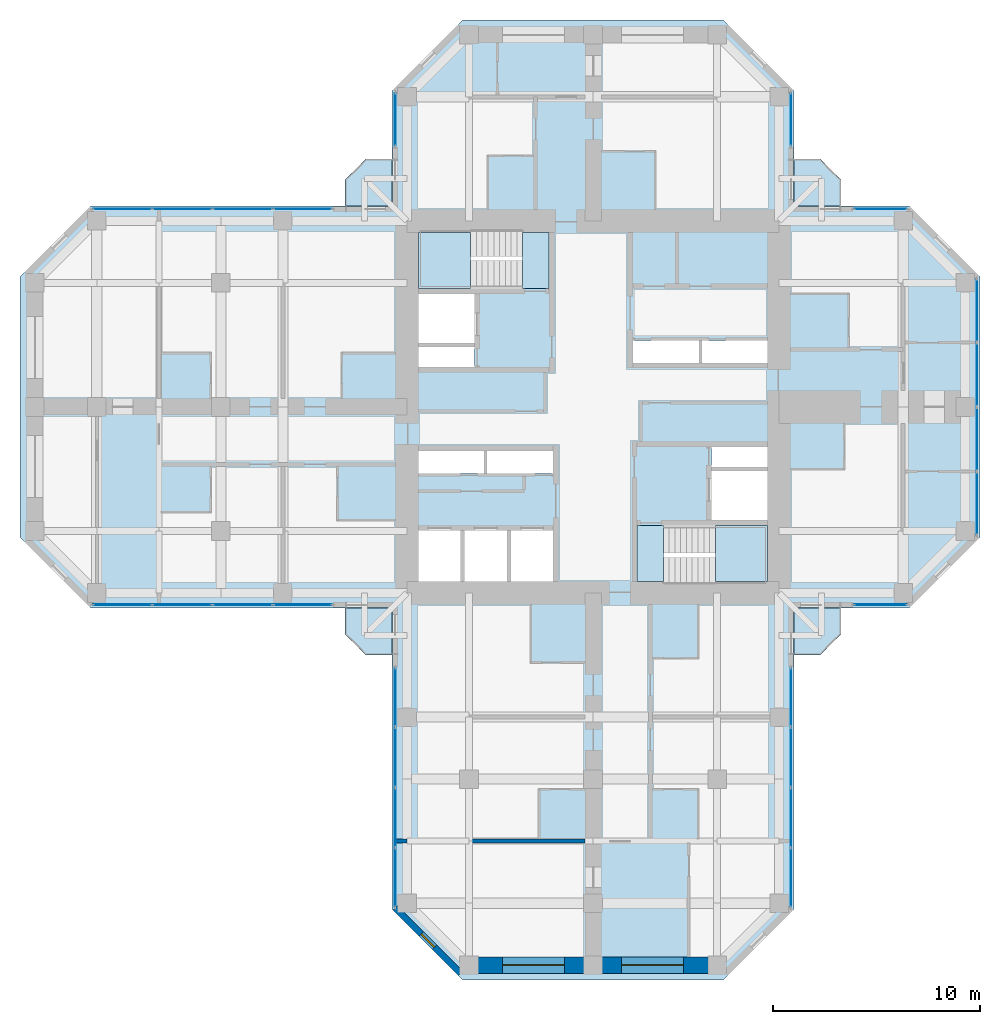
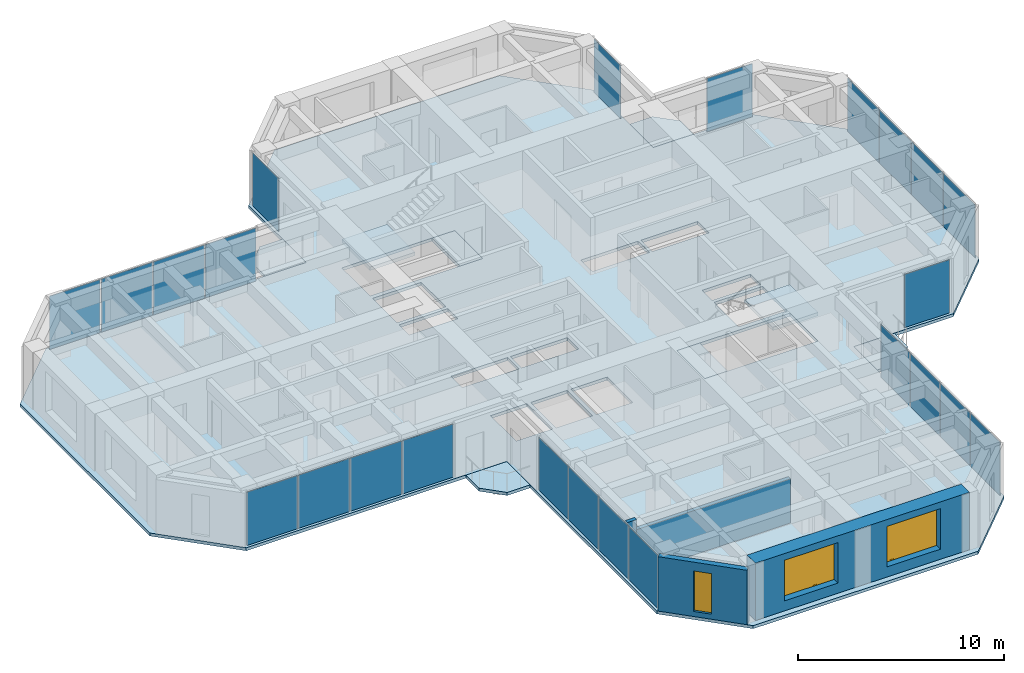
# One storey, part 7 of 14: 24 plates, 9 slabs, 4 walls, 3 windows, 3 openings, 11 elements without a shape of their own.
"""IFC4 building model written with IfcOpenShell, lengths in metres."""

from ifc_helpers import new_model, si_unit, direction, frame, frame_2d, origin, origin_2d, place, context, subcontext, project, spatial, polyline, rectangle, hollow_rectangle, outline, extrude, material, layer, layer_set, constituent, constituent_set, type_object, element, fill, aggregate, save


model = new_model("IFC4")

# Units and contexts
model_context = context("Model", 3, precision=1e-05, world=origin(), true_north=direction((0.0, 1.0)))
body_context = subcontext(model_context, "Body", "Model", "MODEL_VIEW")
ifc_project = project(units=[si_unit("LENGTHUNIT", "METRE"), si_unit("AREAUNIT", "SQUARE_METRE"), si_unit("VOLUMEUNIT", "CUBIC_METRE"), si_unit("PLANEANGLEUNIT", "RADIAN"), si_unit("MASSUNIT", "GRAM", prefix="KILO")], contexts=[model_context])

# Site, building, storey
site_placement = place(None, origin())
site = spatial("IfcSite", under=ifc_project, at=site_placement, CompositionType="ELEMENT")
building_placement = place(site_placement, origin())
building = spatial("IfcBuilding", under=site, at=building_placement, Name="Torre Cruceta", CompositionType="ELEMENT")
storey_placement = place(building_placement, frame((0.0, 0.0, 176.300048828125)))
storey = spatial("IfcBuildingStorey", under=building, at=storey_placement, Name="L43", CompositionType="ELEMENT", Elevation=176.300048828125)

# Slabs
ifc_material_1 = material(Name="Concrete G35 (fck 35 MPa)", Category="concrete")
ifc_layer_1 = layer(ifc_material_1, 0.179931640625)
ifc_layer_set_1 = layer_set([ifc_layer_1], Name="Concrete G35 (fck 35 MPa)")
slab_type_1 = type_object("IfcSlabType", Name="BALCONY SLAB 180", PredefinedType="USERDEFINED", material=ifc_layer_set_1)
slab_1_placement = place(storey_placement, frame((0.0, 0.0, -0.179931640625)))
element("IfcSlab", 1, at=slab_1_placement, inside=storey, type_object=slab_type_1, Name="Balcony slab L43 N", ObjectType="BALCONY", PredefinedType="USERDEFINED", context=body_context, shape_type="SweptSolid", body=[
    extrude(outline(polyline([(-12.0, 11.0), (-11.0, 12.0), (-9.719970703125, 12.0), (-9.719970703125, 9.719970703125), (-12.0, 9.719970703125), (-12.0, 11.0)])), origin(), (0.0, 0.0, 1.0), 0.179931640625),
])
slab_2_placement = place(storey_placement, frame((0.0, 0.0, -0.179931640625)))
element("IfcSlab", 2, at=slab_2_placement, inside=storey, type_object=slab_type_1, Name="Balcony slab L43 E", ObjectType="BALCONY", PredefinedType="USERDEFINED", context=body_context, shape_type="SweptSolid", body=[
    extrude(outline(polyline([(11.0, 12.0), (12.0, 11.0), (12.0, 9.719970703125), (9.719970703125, 9.719970703125), (9.719970703125, 12.0), (11.0, 12.0)])), origin(), (0.0, 0.0, 1.0), 0.179931640625),
])
slab_3_placement = place(storey_placement, frame((0.0, 0.0, -0.179931640625)))
element("IfcSlab", 3, at=slab_3_placement, inside=storey, type_object=slab_type_1, Name="Balcony slab L43 S", ObjectType="BALCONY", PredefinedType="USERDEFINED", context=body_context, shape_type="SweptSolid", body=[
    extrude(outline(polyline([(12.0, -11.0), (11.0, -12.0), (9.719970703125, -12.0), (9.719970703125, -9.719970703125), (12.0, -9.719970703125), (12.0, -11.0)])), origin(), (0.0, 0.0, 1.0), 0.179931640625),
])
slab_4_placement = place(storey_placement, frame((0.0, 0.0, -0.179931640625)))
element("IfcSlab", 4, at=slab_4_placement, inside=storey, type_object=slab_type_1, Name="Balcony slab L43 W", ObjectType="BALCONY", PredefinedType="USERDEFINED", context=body_context, shape_type="SweptSolid", body=[
    extrude(outline(polyline([(-11.0, -12.0), (-12.0, -11.0), (-12.0, -9.719970703125), (-9.719970703125, -9.719970703125), (-9.719970703125, -12.0), (-11.0, -12.0)])), origin(), (0.0, 0.0, 1.0), 0.179931640625),
])

# Curtain wall, plate
ifc_material_2 = material(Name="Aluminium unitised curtain wall", Category="aluminium")
curtain_wall_type = type_object("IfcCurtainWallType", Name="CURTAIN WALL CW-C CO-LIVING", PredefinedType="USERDEFINED", material=ifc_material_2)
curtain_wall_1_placement = place(storey_placement, origin())
curtain_wall_1 = element("IfcCurtainWall", 5, at=curtain_wall_1_placement, inside=storey, type_object=curtain_wall_type, Name="CW-C L43 E tip 02", ObjectType="UNITISED", PredefinedType="USERDEFINED")
ifc_material_3 = material(Name="Laminated insulating glass unit, diagonal frit 50 %", Category="glass")
ifc_material_4 = material(Name="Laminated insulating glass unit, diagonal frit 50 %", Category="glass")
ifc_layer_2 = layer(ifc_material_4, 0.030029296875)
ifc_layer_set_2 = layer_set([ifc_layer_2], Name="Laminated insulating glass unit, diagonal frit 50 %")
plate_type_1 = type_object("IfcPlateType", Name="CW-C OPERABLE VENT PANEL 30", PredefinedType="CURTAIN_PANEL", material=ifc_layer_set_2)
plate_1_placement = place(storey_placement, frame((18.570068359375, -1.55908203125, 0.010009765625), z_axis=(0.0, 0.0, 1.0), x_axis=(0.0, 1.0, 0.0)))
plate_1 = element("IfcPlate", 6, at=plate_1_placement, type_object=plate_type_1, material=ifc_material_3, Name="CW-C vent 2", PredefinedType="CURTAIN_PANEL", context=body_context, shape_type="SweptSolid", body=[
    extrude(rectangle(XDim=3.05810546875, YDim=0.030029296875, at=origin_2d()), origin(), (0.0, 0.0, 1.0), 3.14990234375),
])

curtain_wall_2_placement = place(storey_placement, origin())
curtain_wall_2 = element("IfcCurtainWall", 7, at=curtain_wall_2_placement, inside=storey, type_object=curtain_wall_type, Name="CW-C L43 W side 10", ObjectType="UNITISED", PredefinedType="USERDEFINED")
plate_2_placement = place(storey_placement, frame((-16.94482421875, 9.570068359375, 0.010009765625), z_axis=(0.0, 0.0, 1.0), x_axis=(-1.0, 0.0, 0.0)))
plate_2 = element("IfcPlate", 8, at=plate_2_placement, type_object=plate_type_1, material=ifc_material_3, Name="CW-C vent 2", PredefinedType="CURTAIN_PANEL", context=body_context, shape_type="SweptSolid", body=[
    extrude(rectangle(XDim=2.8564453125, YDim=0.030029296875, at=origin_2d()), origin(), (0.0, 0.0, 1.0), 3.14990234375),
])

curtain_wall_3_placement = place(storey_placement, origin())
curtain_wall_3 = element("IfcCurtainWall", 9, at=curtain_wall_3_placement, inside=storey, type_object=curtain_wall_type, Name="CW-C L43 W side 14", ObjectType="UNITISED", PredefinedType="USERDEFINED")
plate_3_placement = place(storey_placement, frame((-19.861328125, -9.570068359375, 0.010009765625), z_axis=(0.0, 0.0, 1.0), x_axis=(1.0, 0.0, 0.0)))
plate_3 = element("IfcPlate", 10, at=plate_3_placement, type_object=plate_type_1, material=ifc_material_3, Name="CW-C vent 2", PredefinedType="CURTAIN_PANEL", context=body_context, shape_type="SweptSolid", body=[
    extrude(rectangle(XDim=2.8564453125, YDim=0.030029296875, at=origin_2d()), origin(), (0.0, 0.0, 1.0), 3.14990234375),
])

curtain_wall_4_placement = place(storey_placement, origin())
curtain_wall_4 = element("IfcCurtainWall", 11, at=curtain_wall_4_placement, inside=storey, type_object=curtain_wall_type, Name="CW-C L43 S side 15", ObjectType="UNITISED", PredefinedType="USERDEFINED")
plate_4_placement = place(storey_placement, frame((-9.570068359375, -16.94482421875, 0.010009765625), z_axis=(0.0, 0.0, 1.0), x_axis=(0.0, -1.0, 0.0)))
plate_4 = element("IfcPlate", 12, at=plate_4_placement, type_object=plate_type_1, material=ifc_material_3, Name="CW-C vent 2", PredefinedType="CURTAIN_PANEL", context=body_context, shape_type="SweptSolid", body=[
    extrude(rectangle(XDim=2.8564453125, YDim=0.030029296875, at=origin_2d()), origin(), (0.0, 0.0, 1.0), 3.14990234375),
])

curtain_wall_5_placement = place(storey_placement, origin())
curtain_wall_5 = element("IfcCurtainWall", 13, at=curtain_wall_5_placement, inside=storey, type_object=curtain_wall_type, Name="CW-C L43 S side 19", ObjectType="UNITISED", PredefinedType="USERDEFINED")
plate_5_placement = place(storey_placement, frame((9.570068359375, -19.861328125, 0.010009765625), z_axis=(0.0, 0.0, 1.0), x_axis=(0.0, 1.0, 0.0)))
plate_5 = element("IfcPlate", 14, at=plate_5_placement, type_object=plate_type_1, material=ifc_material_3, Name="CW-C vent 2", PredefinedType="CURTAIN_PANEL", context=body_context, shape_type="SweptSolid", body=[
    extrude(rectangle(XDim=2.8564453125, YDim=0.030029296875, at=origin_2d()), origin(), (0.0, 0.0, 1.0), 3.14990234375),
])

curtain_wall_6_placement = place(storey_placement, origin())
curtain_wall_6 = element("IfcCurtainWall", 15, at=curtain_wall_6_placement, inside=storey, type_object=curtain_wall_type, Name="CW-C L43 E side 00", ObjectType="UNITISED", PredefinedType="USERDEFINED")
ifc_material_5 = material(Name="Laminated insulating glass unit, low-iron clear", Category="glass")
ifc_material_6 = material(Name="Laminated insulating glass unit, diagonal frit 50 %", Category="glass")
ifc_layer_3 = layer(ifc_material_6, 0.030029296875)
ifc_layer_set_3 = layer_set([ifc_layer_3], Name="Laminated insulating glass unit, diagonal frit 50 %")
plate_type_2 = type_object("IfcPlateType", Name="CW-C PANEL 30", PredefinedType="CURTAIN_PANEL", material=ifc_layer_set_3)
plate_6_placement = place(storey_placement, frame((13.903076171875, -9.570068359375, 0.010009765625), z_axis=(0.0, 0.0, 1.0), x_axis=(1.0, 0.0, 0.0)))
plate_6 = element("IfcPlate", 16, at=plate_6_placement, type_object=plate_type_2, material=ifc_material_5, Name="CW-C panel 1", PredefinedType="CURTAIN_PANEL", context=body_context, shape_type="SweptSolid", body=[
    extrude(rectangle(XDim=2.546142578125, YDim=0.030029296875, at=origin_2d()), origin(), (0.0, 0.0, 1.0), 3.14990234375),
])
aggregate(curtain_wall_6, [plate_6])

# Plate
plate_7_placement = place(storey_placement, frame((18.570068359375, -4.662109375, 0.010009765625), z_axis=(0.0, 0.0, 1.0), x_axis=(0.0, 1.0, 0.0)))
plate_7 = element("IfcPlate", 17, at=plate_7_placement, type_object=plate_type_2, material=ifc_material_5, Name="CW-C panel 1", PredefinedType="CURTAIN_PANEL", context=body_context, shape_type="SweptSolid", body=[
    extrude(rectangle(XDim=3.028076171875, YDim=0.030029296875, at=origin_2d()), origin(), (0.0, 0.0, 1.0), 3.14990234375),
])

plate_8_placement = place(storey_placement, frame((18.570068359375, 1.55908203125, 0.010009765625), z_axis=(0.0, 0.0, 1.0), x_axis=(0.0, 1.0, 0.0)))
plate_8 = element("IfcPlate", 18, at=plate_8_placement, type_object=plate_type_2, material=ifc_material_3, Name="CW-C panel 3", PredefinedType="CURTAIN_PANEL", context=body_context, shape_type="SweptSolid", body=[
    extrude(rectangle(XDim=3.05810546875, YDim=0.030029296875, at=origin_2d()), origin(), (0.0, 0.0, 1.0), 3.14990234375),
])

plate_9_placement = place(storey_placement, frame((18.570068359375, 4.662109375, 0.010009765625), z_axis=(0.0, 0.0, 1.0), x_axis=(0.0, 1.0, 0.0)))
plate_9 = element("IfcPlate", 19, at=plate_9_placement, type_object=plate_type_2, material=ifc_material_3, Name="CW-C panel 4", PredefinedType="CURTAIN_PANEL", context=body_context, shape_type="SweptSolid", body=[
    extrude(rectangle(XDim=3.028076171875, YDim=0.030029296875, at=origin_2d()), origin(), (0.0, 0.0, 1.0), 3.14990234375),
])

aggregate(curtain_wall_1, [plate_7, plate_1, plate_8, plate_9])

# Curtain wall, plate
curtain_wall_7_placement = place(storey_placement, origin())
curtain_wall_7 = element("IfcCurtainWall", 20, at=curtain_wall_7_placement, inside=storey, type_object=curtain_wall_type, Name="CW-C L43 E side 04", ObjectType="UNITISED", PredefinedType="USERDEFINED")
plate_10_placement = place(storey_placement, frame((13.903076171875, 9.570068359375, 0.010009765625), z_axis=(0.0, 0.0, 1.0), x_axis=(-1.0, 0.0, 0.0)))
plate_10 = element("IfcPlate", 21, at=plate_10_placement, type_object=plate_type_2, material=ifc_material_5, Name="CW-C panel 1", PredefinedType="CURTAIN_PANEL", context=body_context, shape_type="SweptSolid", body=[
    extrude(rectangle(XDim=2.546142578125, YDim=0.030029296875, at=origin_2d()), origin(), (0.0, 0.0, 1.0), 3.14990234375),
])
aggregate(curtain_wall_7, [plate_10])

curtain_wall_8_placement = place(storey_placement, origin())
curtain_wall_8 = element("IfcCurtainWall", 22, at=curtain_wall_8_placement, inside=storey, type_object=curtain_wall_type, Name="CW-C L43 N side 05", ObjectType="UNITISED", PredefinedType="USERDEFINED")
plate_11_placement = place(storey_placement, frame((9.570068359375, 13.903076171875, 0.010009765625), z_axis=(0.0, 0.0, 1.0), x_axis=(0.0, 1.0, 0.0)))
plate_11 = element("IfcPlate", 23, at=plate_11_placement, type_object=plate_type_2, material=ifc_material_5, Name="CW-C panel 1", PredefinedType="CURTAIN_PANEL", context=body_context, shape_type="SweptSolid", body=[
    extrude(rectangle(XDim=2.546142578125, YDim=0.030029296875, at=origin_2d()), origin(), (0.0, 0.0, 1.0), 3.14990234375),
])
aggregate(curtain_wall_8, [plate_11])

curtain_wall_9_placement = place(storey_placement, origin())
curtain_wall_9 = element("IfcCurtainWall", 24, at=curtain_wall_9_placement, inside=storey, type_object=curtain_wall_type, Name="CW-C L43 N side 09", ObjectType="UNITISED", PredefinedType="USERDEFINED")
plate_12_placement = place(storey_placement, frame((-9.570068359375, 13.903076171875, 0.010009765625), z_axis=(0.0, 0.0, 1.0), x_axis=(0.0, -1.0, 0.0)))
plate_12 = element("IfcPlate", 25, at=plate_12_placement, type_object=plate_type_2, material=ifc_material_5, Name="CW-C panel 1", PredefinedType="CURTAIN_PANEL", context=body_context, shape_type="SweptSolid", body=[
    extrude(rectangle(XDim=2.546142578125, YDim=0.030029296875, at=origin_2d()), origin(), (0.0, 0.0, 1.0), 3.14990234375),
])
aggregate(curtain_wall_9, [plate_12])

# Plate
plate_13_placement = place(storey_placement, frame((-14.043212890625, 9.570068359375, 0.010009765625), z_axis=(0.0, 0.0, 1.0), x_axis=(-1.0, 0.0, 0.0)))
plate_13 = element("IfcPlate", 26, at=plate_13_placement, type_object=plate_type_2, material=ifc_material_5, Name="CW-C panel 1", PredefinedType="CURTAIN_PANEL", context=body_context, shape_type="SweptSolid", body=[
    extrude(rectangle(XDim=2.826416015625, YDim=0.030029296875, at=origin_2d()), origin(), (0.0, 0.0, 1.0), 3.14990234375),
])

plate_14_placement = place(storey_placement, frame((-19.861328125, 9.570068359375, 0.010009765625), z_axis=(0.0, 0.0, 1.0), x_axis=(-1.0, 0.0, 0.0)))
plate_14 = element("IfcPlate", 27, at=plate_14_placement, type_object=plate_type_2, material=ifc_material_3, Name="CW-C panel 3", PredefinedType="CURTAIN_PANEL", context=body_context, shape_type="SweptSolid", body=[
    extrude(rectangle(XDim=2.8564453125, YDim=0.030029296875, at=origin_2d()), origin(), (0.0, 0.0, 1.0), 3.14990234375),
])

plate_15_placement = place(storey_placement, frame((-22.762939453125, 9.570068359375, 0.010009765625), z_axis=(0.0, 0.0, 1.0), x_axis=(-1.0, 0.0, 0.0)))
plate_15 = element("IfcPlate", 28, at=plate_15_placement, type_object=plate_type_2, material=ifc_material_3, Name="CW-C panel 4", PredefinedType="CURTAIN_PANEL", context=body_context, shape_type="SweptSolid", body=[
    extrude(rectangle(XDim=2.826416015625, YDim=0.030029296875, at=origin_2d()), origin(), (0.0, 0.0, 1.0), 3.14990234375),
])

aggregate(curtain_wall_2, [plate_13, plate_2, plate_14, plate_15])

plate_16_placement = place(storey_placement, frame((-22.762939453125, -9.570068359375, 0.010009765625), z_axis=(0.0, 0.0, 1.0), x_axis=(1.0, 0.0, 0.0)))
plate_16 = element("IfcPlate", 29, at=plate_16_placement, type_object=plate_type_2, material=ifc_material_5, Name="CW-C panel 1", PredefinedType="CURTAIN_PANEL", context=body_context, shape_type="SweptSolid", body=[
    extrude(rectangle(XDim=2.826416015625, YDim=0.030029296875, at=origin_2d()), origin(), (0.0, 0.0, 1.0), 3.14990234375),
])

plate_17_placement = place(storey_placement, frame((-16.94482421875, -9.570068359375, 0.010009765625), z_axis=(0.0, 0.0, 1.0), x_axis=(1.0, 0.0, 0.0)))
plate_17 = element("IfcPlate", 30, at=plate_17_placement, type_object=plate_type_2, material=ifc_material_3, Name="CW-C panel 3", PredefinedType="CURTAIN_PANEL", context=body_context, shape_type="SweptSolid", body=[
    extrude(rectangle(XDim=2.8564453125, YDim=0.030029296875, at=origin_2d()), origin(), (0.0, 0.0, 1.0), 3.14990234375),
])

plate_18_placement = place(storey_placement, frame((-14.043212890625, -9.570068359375, 0.010009765625), z_axis=(0.0, 0.0, 1.0), x_axis=(1.0, 0.0, 0.0)))
plate_18 = element("IfcPlate", 31, at=plate_18_placement, type_object=plate_type_2, material=ifc_material_3, Name="CW-C panel 4", PredefinedType="CURTAIN_PANEL", context=body_context, shape_type="SweptSolid", body=[
    extrude(rectangle(XDim=2.826416015625, YDim=0.030029296875, at=origin_2d()), origin(), (0.0, 0.0, 1.0), 3.14990234375),
])

aggregate(curtain_wall_3, [plate_16, plate_3, plate_17, plate_18])

plate_19_placement = place(storey_placement, frame((-9.570068359375, -14.043212890625, 0.010009765625), z_axis=(0.0, 0.0, 1.0), x_axis=(0.0, -1.0, 0.0)))
plate_19 = element("IfcPlate", 32, at=plate_19_placement, type_object=plate_type_2, material=ifc_material_5, Name="CW-C panel 1", PredefinedType="CURTAIN_PANEL", context=body_context, shape_type="SweptSolid", body=[
    extrude(rectangle(XDim=2.826416015625, YDim=0.030029296875, at=origin_2d()), origin(), (0.0, 0.0, 1.0), 3.14990234375),
])

plate_20_placement = place(storey_placement, frame((-9.570068359375, -19.861328125, 0.010009765625), z_axis=(0.0, 0.0, 1.0), x_axis=(0.0, -1.0, 0.0)))
plate_20 = element("IfcPlate", 33, at=plate_20_placement, type_object=plate_type_2, material=ifc_material_3, Name="CW-C panel 3", PredefinedType="CURTAIN_PANEL", context=body_context, shape_type="SweptSolid", body=[
    extrude(rectangle(XDim=2.8564453125, YDim=0.030029296875, at=origin_2d()), origin(), (0.0, 0.0, 1.0), 3.14990234375),
])

plate_21_placement = place(storey_placement, frame((-9.570068359375, -22.762939453125, 0.010009765625), z_axis=(0.0, 0.0, 1.0), x_axis=(0.0, -1.0, 0.0)))
plate_21 = element("IfcPlate", 34, at=plate_21_placement, type_object=plate_type_2, material=ifc_material_3, Name="CW-C panel 4", PredefinedType="CURTAIN_PANEL", context=body_context, shape_type="SweptSolid", body=[
    extrude(rectangle(XDim=2.826416015625, YDim=0.030029296875, at=origin_2d()), origin(), (0.0, 0.0, 1.0), 3.14990234375),
])

aggregate(curtain_wall_4, [plate_19, plate_4, plate_20, plate_21])

plate_22_placement = place(storey_placement, frame((9.570068359375, -22.762939453125, 0.010009765625), z_axis=(0.0, 0.0, 1.0), x_axis=(0.0, 1.0, 0.0)))
plate_22 = element("IfcPlate", 35, at=plate_22_placement, type_object=plate_type_2, material=ifc_material_5, Name="CW-C panel 1", PredefinedType="CURTAIN_PANEL", context=body_context, shape_type="SweptSolid", body=[
    extrude(rectangle(XDim=2.826416015625, YDim=0.030029296875, at=origin_2d()), origin(), (0.0, 0.0, 1.0), 3.14990234375),
])

plate_23_placement = place(storey_placement, frame((9.570068359375, -16.94482421875, 0.010009765625), z_axis=(0.0, 0.0, 1.0), x_axis=(0.0, 1.0, 0.0)))
plate_23 = element("IfcPlate", 36, at=plate_23_placement, type_object=plate_type_2, material=ifc_material_3, Name="CW-C panel 3", PredefinedType="CURTAIN_PANEL", context=body_context, shape_type="SweptSolid", body=[
    extrude(rectangle(XDim=2.8564453125, YDim=0.030029296875, at=origin_2d()), origin(), (0.0, 0.0, 1.0), 3.14990234375),
])

plate_24_placement = place(storey_placement, frame((9.570068359375, -14.043212890625, 0.010009765625), z_axis=(0.0, 0.0, 1.0), x_axis=(0.0, 1.0, 0.0)))
plate_24 = element("IfcPlate", 37, at=plate_24_placement, type_object=plate_type_2, material=ifc_material_3, Name="CW-C panel 4", PredefinedType="CURTAIN_PANEL", context=body_context, shape_type="SweptSolid", body=[
    extrude(rectangle(XDim=2.826416015625, YDim=0.030029296875, at=origin_2d()), origin(), (0.0, 0.0, 1.0), 3.14990234375),
])

aggregate(curtain_wall_5, [plate_22, plate_5, plate_23, plate_24])

# Slab
ifc_material_7 = material(Name="Concrete G35 (fck 35 MPa)", Category="concrete")
ifc_layer_4 = layer(ifc_material_7, 0.179931640625)
ifc_layer_set_4 = layer_set([ifc_layer_4], Name="Concrete G35 (fck 35 MPa)")
slab_type_2 = type_object("IfcSlabType", Name="FLOOR SLAB 180", PredefinedType="FLOOR", material=ifc_layer_set_4)
slab_5_placement = place(storey_placement, frame((0.0, 0.0, -0.179931640625)))
element("IfcSlab", 38, at=slab_5_placement, inside=storey, type_object=slab_type_2, Name="Floor Slab L43", PredefinedType="FLOOR", context=body_context, shape_type="SweptSolid", body=[
    extrude(outline(polyline([(9.719970703125, -9.719970703125), (9.719970703125, -24.29833984375), (6.29833984375, -27.719970703125), (-6.29833984375, -27.719970703125), (-9.719970703125, -24.29833984375), (-9.719970703125, -9.719970703125), (-24.29833984375, -9.719970703125), (-27.719970703125, -6.29833984375), (-27.719970703125, 6.29833984375), (-24.29833984375, 9.719970703125), (-9.719970703125, 9.719970703125), (-9.719970703125, 15.29833984375), (-6.29833984375, 18.719970703125), (6.29833984375, 18.719970703125), (9.719970703125, 15.29833984375), (9.719970703125, 9.719970703125), (15.29833984375, 9.719970703125), (18.719970703125, 6.29833984375), (18.719970703125, -6.29833984375), (15.29833984375, -9.719970703125), (9.719970703125, -9.719970703125)]), holes=[polyline([(1.925048828125, 2.125), (5.125, 2.125), (5.125, 3.22509765625), (1.925048828125, 3.22509765625), (1.925048828125, 2.125)]), polyline([(5.27490234375, 2.125), (8.449951171875, 2.125), (8.449951171875, 3.22509765625), (5.27490234375, 3.22509765625), (5.27490234375, 2.125)]), polyline([(-8.449951171875, 3.10009765625), (-5.72509765625, 3.10009765625), (-5.72509765625, 5.47509765625), (-8.449951171875, 5.47509765625), (-8.449951171875, 3.10009765625)]), polyline([(-8.449951171875, 1.925048828125), (-5.72509765625, 1.925048828125), (-5.72509765625, 2.89990234375), (-8.449951171875, 2.89990234375), (-8.449951171875, 1.925048828125)]), polyline([(-3.966552734375, -8.449951171875), (-1.925048828125, -8.449951171875), (-1.925048828125, -5.97509765625), (-3.966552734375, -5.97509765625), (-3.966552734375, -8.449951171875)]), polyline([(-6.208251953125, -8.449951171875), (-4.166748046875, -8.449951171875), (-4.166748046875, -5.97509765625), (-6.208251953125, -5.97509765625), (-6.208251953125, -8.449951171875)]), polyline([(-8.449951171875, -8.449951171875), (-6.408447265625, -8.449951171875), (-6.408447265625, -5.97509765625), (-8.449951171875, -5.97509765625), (-8.449951171875, -8.449951171875)]), polyline([(-5.125, -3.22509765625), (-1.925048828125, -3.22509765625), (-1.925048828125, -2.125), (-5.125, -2.125), (-5.125, -3.22509765625)]), polyline([(-8.449951171875, -3.22509765625), (-5.27490234375, -3.22509765625), (-5.27490234375, -2.125), (-8.449951171875, -2.125), (-8.449951171875, -3.22509765625)]), polyline([(5.72509765625, -5.47509765625), (8.449951171875, -5.47509765625), (8.449951171875, -3.10009765625), (5.72509765625, -3.10009765625), (5.72509765625, -5.47509765625)]), polyline([(5.72509765625, -2.89990234375), (8.449951171875, -2.89990234375), (8.449951171875, -1.925048828125), (5.72509765625, -1.925048828125), (5.72509765625, -2.89990234375)]), polyline([(-8.449951171875, 5.72509765625), (-8.449951171875, 8.449951171875), (-3.39990234375, 8.449951171875), (-2.125, 8.449951171875), (-2.125, 5.72509765625), (-3.39990234375, 5.72509765625), (-8.449951171875, 5.72509765625)]), polyline([(2.125, -5.72509765625), (3.39990234375, -5.72509765625), (8.449951171875, -5.72509765625), (8.449951171875, -8.449951171875), (3.39990234375, -8.449951171875), (2.125, -8.449951171875), (2.125, -5.72509765625)])]), origin(), (0.0, 0.0, 1.0), 0.179931640625),
])

# Stair, slab
ifc_material_8 = material(Name="Concrete G30 (fck 30 MPa)", Category="concrete")
stair_type = type_object("IfcStairType", Name="STAIR HALF-TURN 1300", PredefinedType="HALF_TURN_STAIR", material=ifc_material_8)
stair_1_placement = place(storey_placement, origin())
stair_1 = element("IfcStair", 39, at=stair_1_placement, inside=storey, type_object=stair_type, Name="Stair ST1 L43", PredefinedType="HALF_TURN_STAIR")
ifc_material_9 = material(Name="Concrete G30 (fck 30 MPa)", Category="concrete")
ifc_layer_5 = layer(ifc_material_9, 0.199951171875)
ifc_layer_set_5 = layer_set([ifc_layer_5], Name="Concrete G30 (fck 30 MPa)")
slab_type_3 = type_object("IfcSlabType", Name="STAIR LANDING 200", PredefinedType="LANDING", material=ifc_layer_set_5)
slab_6_placement = place(storey_placement, frame((0.0, 0.0, 1.5)))
slab_6 = element("IfcSlab", 40, at=slab_6_placement, type_object=slab_type_3, Name="ST1 landing 1", PredefinedType="LANDING", context=body_context, shape_type="SweptSolid", body=[
    extrude(outline(polyline([(-8.449951171875, 5.72509765625), (-5.919921875, 5.72509765625), (-5.919921875, 8.449951171875), (-8.449951171875, 8.449951171875), (-8.449951171875, 5.72509765625)])), origin(), (0.0, 0.0, 1.0), 0.199951171875),
])
aggregate(stair_1, [slab_6])

stair_2_placement = place(storey_placement, origin())
stair_2 = element("IfcStair", 41, at=stair_2_placement, inside=storey, type_object=stair_type, Name="Stair ST2 L43", PredefinedType="HALF_TURN_STAIR")
slab_7_placement = place(storey_placement, frame((0.0, 0.0, 1.5)))
slab_7 = element("IfcSlab", 42, at=slab_7_placement, type_object=slab_type_3, Name="ST2 landing 1", PredefinedType="LANDING", context=body_context, shape_type="SweptSolid", body=[
    extrude(outline(polyline([(5.919921875, -8.449951171875), (8.449951171875, -8.449951171875), (8.449951171875, -5.72509765625), (5.919921875, -5.72509765625), (5.919921875, -8.449951171875)])), origin(), (0.0, 0.0, 1.0), 0.199951171875),
])
aggregate(stair_2, [slab_7])

# Slabs
slab_8_placement = place(storey_placement, frame((0.0, 0.0, -0.199951171875)))
element("IfcSlab", 43, at=slab_8_placement, inside=storey, type_object=slab_type_3, Name="Stair ST1 floor landing L43", PredefinedType="LANDING", context=body_context, shape_type="SweptSolid", body=[
    extrude(outline(polyline([(-2.125, 8.449951171875), (-2.125, 5.72509765625), (-3.39990234375, 5.72509765625), (-3.39990234375, 8.449951171875), (-2.125, 8.449951171875)])), origin(), (0.0, 0.0, 1.0), 0.199951171875),
])
slab_9_placement = place(storey_placement, frame((0.0, 0.0, -0.199951171875)))
element("IfcSlab", 44, at=slab_9_placement, inside=storey, type_object=slab_type_3, Name="Stair ST2 floor landing L43", PredefinedType="LANDING", context=body_context, shape_type="SweptSolid", body=[
    extrude(outline(polyline([(2.125, -8.449951171875), (2.125, -5.72509765625), (3.39990234375, -5.72509765625), (3.39990234375, -8.449951171875), (2.125, -8.449951171875)])), origin(), (0.0, 0.0, 1.0), 0.199951171875),
])

# Wall, opening, window
ifc_material_10 = material(Name="Concrete G30 (fck 30 MPa)", Category="concrete")
ifc_layer_6 = layer(ifc_material_10, 0.300048828125)
ifc_layer_set_6 = layer_set([ifc_layer_6], Name="Concrete G30 (fck 30 MPa)")
wall_type_1 = type_object("IfcWallType", Name="EXPOSED CONCRETE FACADE WALL 300", PredefinedType="SOLIDWALL", material=ifc_layer_set_6)
wall_1_placement = place(storey_placement, frame((-9.570068359375, -24.236083984375, 0.0), z_axis=(0.0, 0.0, 1.0), x_axis=(0.707134062067, -0.707079499254, 0.0)))
wall_1 = element("IfcWall", 45, at=wall_1_placement, inside=storey, type_object=wall_type_1, Name="EW1 facade wall L43 S chamfer 16", PredefinedType="SOLIDWALL", context=body_context, shape_type="SweptSolid", body=[
    extrude(rectangle(XDim=4.474609375, YDim=0.300048828125, at=frame_2d((2.2373046875, 0.0))), origin(), (0.0, 0.0, 1.0), 3.219970703125),
])
opening_1_placement = place(wall_1_placement, frame((1.787109375, 0.0, 0.300048828125)))
opening_1 = element("IfcOpeningElement", 46, at=opening_1_placement, cuts=wall_1, Name="Opening WN5", PredefinedType="OPENING", context=body_context, shape_type="SweptSolid", body=[
    extrude(rectangle(XDim=0.89990234375, YDim=2.39990234375, at=frame_2d((0.449951171875, 1.199951171875))), frame((0.0, 0.159912109375, 0.0), z_axis=(0.0, -1.0, 0.0), x_axis=(1.0, 0.0, 0.0)), (0.0, 0.0, 1.0), 0.320068359375),
])
ifc_material_11 = material(Name="Aluminium window frame", Category="aluminium")
ifc_constituent_1 = constituent(ifc_material_11, Name="Frame")
ifc_material_12 = material(Name="Laminated insulating glass unit, low-iron clear", Category="glass")
ifc_constituent_2 = constituent(ifc_material_12, Name="Glazing")
ifc_constituent_set_1 = constituent_set(constituents=[ifc_constituent_1, ifc_constituent_2], Name="Aluminium window")
window_type_1 = type_object("IfcWindowType", Name="CHAMFER SLOT WINDOW 900X2400", PartitioningType="SINGLE_PANEL", PredefinedType="WINDOW", material=ifc_constituent_set_1)
window_1_placement = place(opening_1_placement, origin())
window_1 = element("IfcWindow", 47, at=window_1_placement, inside=storey, type_object=window_type_1, Name="WN5 L43 S 1", OverallHeight=2.39990234375, OverallWidth=0.89990234375, PartitioningType="SINGLE_PANEL", PredefinedType="WINDOW", context=body_context, shape_type="SweptSolid", body=[
    extrude(hollow_rectangle(XDim=0.89990234375, YDim=2.39990234375, WallThickness=0.06005859375, at=frame_2d((0.449951171875, 1.199951171875))), frame((0.0, 0.030029296875, 0.0), z_axis=(0.0, -1.0, 0.0), x_axis=(1.0, 0.0, 0.0)), (0.0, 0.0, 1.0), 0.06005859375),
    extrude(rectangle(XDim=0.77880859375, YDim=2.27880859375, at=frame_2d((0.449951171875, 1.199951171875))), frame((0.0, 0.030029296875, 0.0), z_axis=(0.0, -1.0, 0.0), x_axis=(1.0, 0.0, 0.0)), (0.0, 0.0, 1.0), 0.06005859375),
])
fill(opening_1, window_1)

# Wall, openings, windows
ifc_material_13 = material(Name="Concrete G60 (fck 60 MPa)", Category="concrete")
ifc_layer_7 = layer(ifc_material_13, 0.800048828125)
ifc_layer_set_7 = layer_set([ifc_layer_7], Name="Concrete G60 (fck 60 MPa)")
wall_type_2 = type_object("IfcWallType", Name="NOSE WALL 800 G60", PredefinedType="SHEAR", material=ifc_layer_set_7)
wall_2_placement = place(storey_placement, frame((-6.0, -27.0, 0.0), z_axis=(0.0, 0.0, 1.0), x_axis=(1.0, 0.0, 0.0)))
wall_2 = element("IfcWall", 48, at=wall_2_placement, inside=storey, type_object=wall_type_2, Name="NW2 nose wall L43 S", PredefinedType="SHEAR", context=body_context, shape_type="SweptSolid", body=[
    extrude(rectangle(XDim=12.0, YDim=0.800048828125, at=frame_2d((6.0, 0.0))), origin(), (0.0, 0.0, 1.0), 3.39990234375),
])
opening_2_placement = place(wall_2_placement, frame((1.625, 0.0, 0.60009765625)))
opening_2 = element("IfcOpeningElement", 49, at=opening_2_placement, cuts=wall_2, Name="Opening WN6", PredefinedType="OPENING", context=body_context, shape_type="SweptSolid", body=[
    extrude(rectangle(XDim=3.0, YDim=2.39990234375, at=frame_2d((1.5, 1.199951171875))), frame((0.0, 0.409912109375, 0.0), z_axis=(0.0, -1.0, 0.0), x_axis=(1.0, 0.0, 0.0)), (0.0, 0.0, 1.0), 0.820068359375),
])
opening_3_placement = place(wall_2_placement, frame((7.375, 0.0, 0.60009765625)))
opening_3 = element("IfcOpeningElement", 50, at=opening_3_placement, cuts=wall_2, Name="Opening WN6", PredefinedType="OPENING", context=body_context, shape_type="SweptSolid", body=[
    extrude(rectangle(XDim=3.0, YDim=2.39990234375, at=frame_2d((1.5, 1.199951171875))), frame((0.0, 0.409912109375, 0.0), z_axis=(0.0, -1.0, 0.0), x_axis=(1.0, 0.0, 0.0)), (0.0, 0.0, 1.0), 0.820068359375),
])
ifc_material_14 = material(Name="Aluminium window frame", Category="aluminium")
ifc_constituent_3 = constituent(ifc_material_14, Name="Frame")
ifc_material_15 = material(Name="Laminated insulating glass unit, low-iron clear", Category="glass")
ifc_constituent_4 = constituent(ifc_material_15, Name="Glazing")
ifc_constituent_set_2 = constituent_set(constituents=[ifc_constituent_3, ifc_constituent_4], Name="Aluminium window")
window_type_2 = type_object("IfcWindowType", Name="NOSE WALL WINDOW 3000X2400", PartitioningType="SINGLE_PANEL", PredefinedType="WINDOW", material=ifc_constituent_set_2)
window_2_placement = place(opening_2_placement, origin())
window_2 = element("IfcWindow", 51, at=window_2_placement, inside=storey, type_object=window_type_2, Name="WN6 L43 S 1", OverallHeight=2.39990234375, OverallWidth=3.0, PartitioningType="SINGLE_PANEL", PredefinedType="WINDOW", context=body_context, shape_type="SweptSolid", body=[
    extrude(hollow_rectangle(XDim=3.0, YDim=2.39990234375, WallThickness=0.06005859375, at=frame_2d((1.5, 1.199951171875))), frame((0.0, 0.030029296875, 0.0), z_axis=(0.0, -1.0, 0.0), x_axis=(1.0, 0.0, 0.0)), (0.0, 0.0, 1.0), 0.06005859375),
    extrude(rectangle(XDim=2.87890625, YDim=2.27880859375, at=frame_2d((1.5, 1.199951171875))), frame((0.0, 0.030029296875, 0.0), z_axis=(0.0, -1.0, 0.0), x_axis=(1.0, 0.0, 0.0)), (0.0, 0.0, 1.0), 0.06005859375),
])
fill(opening_2, window_2)
window_3_placement = place(opening_3_placement, origin())
window_3 = element("IfcWindow", 52, at=window_3_placement, inside=storey, type_object=window_type_2, Name="WN6 L43 S 2", OverallHeight=2.39990234375, OverallWidth=3.0, PartitioningType="SINGLE_PANEL", PredefinedType="WINDOW", context=body_context, shape_type="SweptSolid", body=[
    extrude(hollow_rectangle(XDim=3.0, YDim=2.39990234375, WallThickness=0.06005859375, at=frame_2d((1.5, 1.199951171875))), frame((0.0, 0.030029296875, 0.0), z_axis=(0.0, -1.0, 0.0), x_axis=(1.0, 0.0, 0.0)), (0.0, 0.0, 1.0), 0.06005859375),
    extrude(rectangle(XDim=2.87890625, YDim=2.27880859375, at=frame_2d((1.5, 1.199951171875))), frame((0.0, 0.030029296875, 0.0), z_axis=(0.0, -1.0, 0.0), x_axis=(1.0, 0.0, 0.0)), (0.0, 0.0, 1.0), 0.06005859375),
])
fill(opening_3, window_3)

# Walls
ifc_material_16 = material(Name="Concrete G25 (fck 25 MPa)", Category="concrete")
ifc_layer_8 = layer(ifc_material_16, 0.199951171875)
ifc_layer_set_8 = layer_set([ifc_layer_8], Name="Concrete G25 (fck 25 MPa)")
wall_type_3 = type_object("IfcWallType", Name="UNIT SEPARATING WALL 200", PredefinedType="SOLIDWALL", material=ifc_layer_set_8)
wall_3_placement = place(storey_placement, frame((-9.530029296875, -21.0, 0.0), z_axis=(0.0, 0.0, 1.0), x_axis=(1.0, 0.0, 0.0)))
element("IfcWall", 53, at=wall_3_placement, inside=storey, type_object=wall_type_3, Name="PT2 L43-S-ENDa", PredefinedType="SOLIDWALL", context=body_context, shape_type="SweptSolid", body=[
    extrude(rectangle(XDim=0.530029296875, YDim=0.199951171875, at=frame_2d((0.26513671875, 0.0))), origin(), (0.0, 0.0, 1.0), 3.219970703125),
])
wall_4_placement = place(storey_placement, frame((-9.0, -21.0, 0.0), z_axis=(0.0, 0.0, 1.0), x_axis=(1.0, 0.0, 0.0)))
element("IfcWall", 54, at=wall_4_placement, inside=storey, type_object=wall_type_3, Name="PT2 L43-S-ENDa 2", PredefinedType="SOLIDWALL", context=body_context, shape_type="SweptSolid", body=[
    extrude(rectangle(XDim=8.60009765625, YDim=0.199951171875, at=frame_2d((4.300048828125, 0.0))), origin(), (0.0, 0.0, 1.0), 2.619873046875),
])

save(model, "model.ifc")
